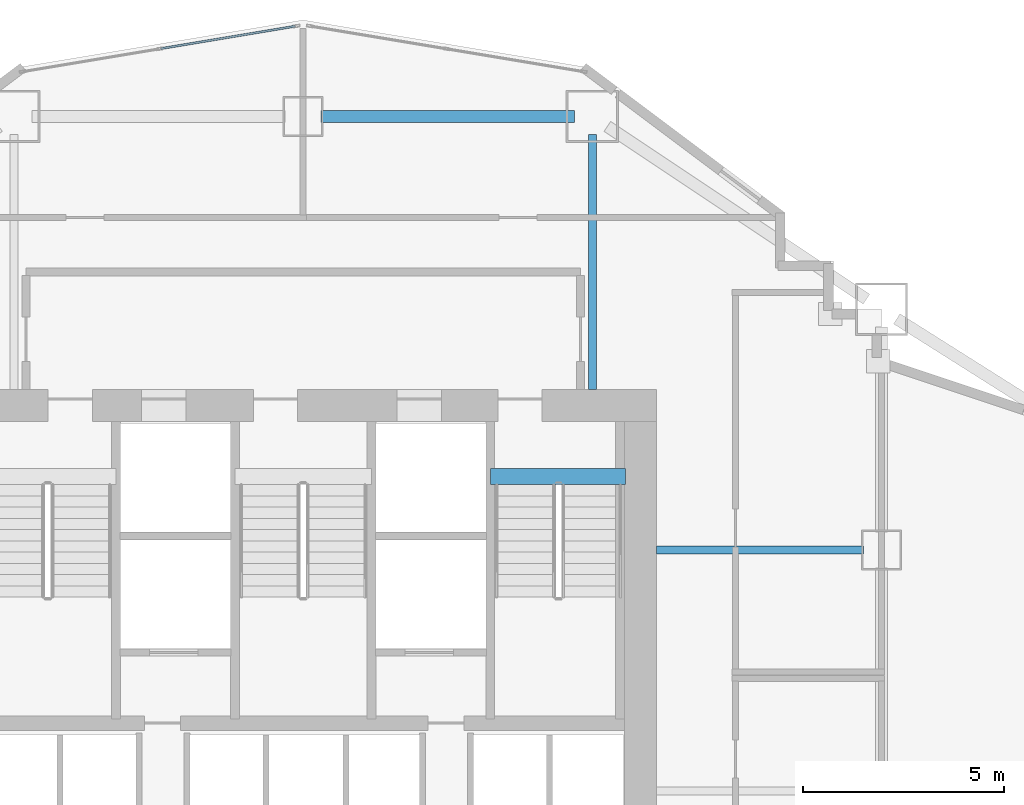
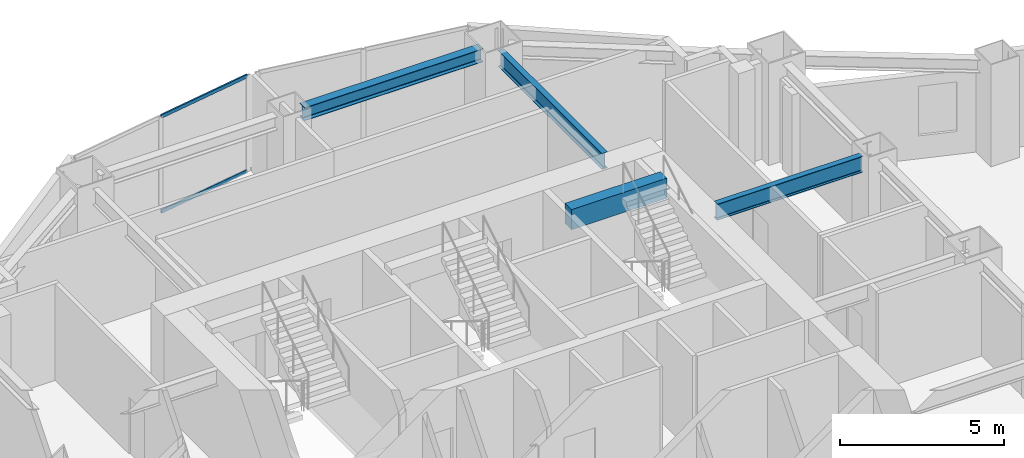
# One storey, part 3 of 17: 4 beams, 2 members, 1 element without a shape of its own.
"""IFC4 building model written with IfcOpenShell, lengths in metres."""

from ifc_helpers import new_model, si_unit, direction, frame, origin, origin_2d, place, context, subcontext, project, spatial, rectangle, hollow_rectangle, i_section, extrude, material, layer, layer_set, material_profile, profile_set, type_object, element, aggregate, save


model = new_model("IFC4")

# Units and contexts
model_context = context("Model", 3, precision=1e-05, world=origin(), true_north=direction((0.0, 1.0)))
body_context = subcontext(model_context, "Body", "Model", "MODEL_VIEW")
ifc_project = project(units=[si_unit("LENGTHUNIT", "METRE"), si_unit("AREAUNIT", "SQUARE_METRE"), si_unit("VOLUMEUNIT", "CUBIC_METRE"), si_unit("PLANEANGLEUNIT", "RADIAN"), si_unit("MASSUNIT", "GRAM", prefix="KILO")], contexts=[model_context])

# Site, building, storey
site_placement = place(None, origin())
site = spatial("IfcSite", under=ifc_project, at=site_placement, CompositionType="ELEMENT")
building_placement = place(site_placement, origin())
building = spatial("IfcBuilding", under=site, at=building_placement, Name="Haolan Belvedere Tower", CompositionType="ELEMENT")
storey_placement = place(building_placement, frame((0.0, 0.0, 27.800048828125)))
storey = spatial("IfcBuildingStorey", under=building, at=storey_placement, Name="L06", CompositionType="ELEMENT", Elevation=27.800048828125)

# Beams
ifc_material_1 = material(Name="Steel Q355B", Category="steel")
ifc_material_profile_1 = material_profile(ifc_material_1, i_section(OverallWidth=0.300048828125, OverallDepth=0.488037109375, WebThickness=0.010986328125, FlangeThickness=0.01806640625, FilletRadius=0.02587890625, at=origin_2d()), Name="Steel Q355B")
ifc_profile_set_1 = profile_set([ifc_material_profile_1], Name="Steel Q355B")
beam_type_1 = type_object("IfcBeamType", Name="BM-HM488x300x11x18", PredefinedType="SPANDREL", material=ifc_profile_set_1)
beam_1_placement = place(storey_placement, frame((38.85009765625, 50.39990234375, 3.35595703125), z_axis=(1.0, 0.0, 0.0), x_axis=(0.0, 1.0, 0.0)))
element("IfcBeam", 1, at=beam_1_placement, inside=storey, type_object=beam_type_1, Name="L06 spandrel girder TC-T3-NM-MC-T3-N2", PredefinedType="SPANDREL", context=body_context, shape_type="SweptSolid", body=[
    extrude(i_section(OverallWidth=0.300048828125, OverallDepth=0.488037109375, WebThickness=0.010986328125, FlangeThickness=0.01806640625, FilletRadius=0.02587890625, at=origin_2d()), origin(), (0.0, 0.0, 1.0), 6.2998046875),
])
ifc_material_profile_2 = material_profile(ifc_material_1, i_section(OverallWidth=0.199951171875, OverallDepth=0.60009765625, WebThickness=0.010986328125, FlangeThickness=0.01708984375, FilletRadius=0.02197265625, at=origin_2d()), Name="Steel Q355B")
ifc_profile_set_2 = profile_set([ifc_material_profile_2], Name="Steel Q355B")
beam_type_2 = type_object("IfcBeamType", Name="BM-HN600x200x11x17", PredefinedType="BEAM", material=ifc_profile_set_2)
beam_2_placement = place(storey_placement, frame((52.35009765625, 39.60009765625, 3.300048828125), z_axis=(-1.0, 0.0, 0.0), x_axis=(0.0, -1.0, 0.0)))
element("IfcBeam", 2, at=beam_2_placement, inside=storey, type_object=beam_type_2, Name="L06 core tie beam from TC-T3-E2", PredefinedType="BEAM", context=body_context, shape_type="SweptSolid", body=[
    extrude(i_section(OverallWidth=0.199951171875, OverallDepth=0.60009765625, WebThickness=0.010986328125, FlangeThickness=0.01708984375, FilletRadius=0.02197265625, at=origin_2d()), origin(), (0.0, 0.0, 1.0), 5.150146484375),
])
beam_3_placement = place(storey_placement, frame((45.60009765625, 49.949951171875, 3.300048828125), z_axis=(0.0, -1.0, 0.0), x_axis=(1.0, 0.0, 0.0)))
element("IfcBeam", 3, at=beam_3_placement, inside=storey, type_object=beam_type_2, Name="L06 core tie beam from MC-T3-N2", PredefinedType="BEAM", context=body_context, shape_type="SweptSolid", body=[
    extrude(i_section(OverallWidth=0.199951171875, OverallDepth=0.60009765625, WebThickness=0.010986328125, FlangeThickness=0.01708984375, FilletRadius=0.02197265625, at=origin_2d()), origin(), (0.0, 0.0, 1.0), 6.349853515625),
])
ifc_material_2 = material(Name="Concrete C50/60", Category="concrete")
ifc_material_profile_3 = material_profile(ifc_material_2, rectangle(XDim=0.39990234375, YDim=0.75, at=origin_2d()), Name="Concrete C50/60")
ifc_profile_set_3 = profile_set([ifc_material_profile_3], Name="Concrete C50/60")
beam_type_3 = type_object("IfcBeamType", Name="BM-RC400x750", PredefinedType="T_BEAM", material=ifc_profile_set_3)
beam_4_placement = place(storey_placement, frame((43.06005859375, 41.429931640625, 3.425048828125), z_axis=(1.0, 0.0, 0.0), x_axis=(0.0, 1.0, 0.0)))
element("IfcBeam", 4, at=beam_4_placement, inside=storey, type_object=beam_type_3, Name="L07 stair ST2 RC header trimmer beam", PredefinedType="BEAM", context=body_context, shape_type="SweptSolid", body=[
    extrude(rectangle(XDim=0.39990234375, YDim=0.75, at=origin_2d()), origin(), (0.0, 0.0, 1.0), 3.35986328125),
])

# Curtain wall, members
ifc_material_3 = material(Name="Anodised champagne-silver aluminium 6063-T6 and Low-E glass", Category="aluminium")
ifc_layer = layer(ifc_material_3, 0.1650390625, Name="Anodised champagne-silver aluminium 6063-T6 and Low-E glass")
ifc_layer_set = layer_set([ifc_layer], Name="Anodised champagne-silver aluminium 6063-T6 and Low-E glass")
curtain_wall_type = type_object("IfcCurtainWallType", Name="CW-SYS-02", PredefinedType="NOTDEFINED", material=ifc_layer_set)
curtain_wall_placement = place(storey_placement, origin())
curtain_wall = element("IfcCurtainWall", 5, at=curtain_wall_placement, inside=storey, type_object=curtain_wall_type, Name="L06 CW-SYS-02 ribbon curtain wall 43.1", PredefinedType="NOTDEFINED")
ifc_material_4 = material(Name="Anodised aluminium 6063-T6", Category="aluminium")
ifc_material_profile_4 = material_profile(ifc_material_4, hollow_rectangle(XDim=0.054931640625, YDim=0.1298828125, WallThickness=0.00390625, at=origin_2d()), Name="Anodised aluminium 6063-T6")
ifc_profile_set_4 = profile_set([ifc_material_profile_4], Name="Anodised aluminium 6063-T6")
member_type = type_object("IfcMemberType", Name="CW-SYS-02-TRN", PredefinedType="USERDEFINED", material=ifc_profile_set_4)
member_1_placement = place(storey_placement, frame((38.20263671875, 52.6455078125, 0.02734375), z_axis=(-0.986393923832, -0.164398987305, 0.0), x_axis=(0.164398987305, -0.986393923832, 0.0)))
member_1 = element("IfcMember", 6, at=member_1_placement, type_object=member_type, Name="CW-02 transom 1.1", ObjectType="TRANSOM", PredefinedType="USERDEFINED", context=body_context, shape_type="SweptSolid", body=[
    extrude(hollow_rectangle(XDim=0.054931640625, YDim=0.1298828125, WallThickness=0.00390625, at=origin_2d()), origin(), (0.0, 0.0, 1.0), 3.394775390625),
])
member_2_placement = place(storey_placement, frame((38.20263671875, 52.6455078125, 3.572509765625), z_axis=(-0.986393923832, -0.164398987305, 0.0), x_axis=(0.164398987305, -0.986393923832, 0.0)))
member_2 = element("IfcMember", 7, at=member_2_placement, type_object=member_type, Name="CW-02 transom 1.2", ObjectType="TRANSOM", PredefinedType="USERDEFINED", context=body_context, shape_type="SweptSolid", body=[
    extrude(hollow_rectangle(XDim=0.054931640625, YDim=0.1298828125, WallThickness=0.00390625, at=origin_2d()), origin(), (0.0, 0.0, 1.0), 3.394775390625),
])
aggregate(curtain_wall, [member_1, member_2])

save(model, "model.ifc")
